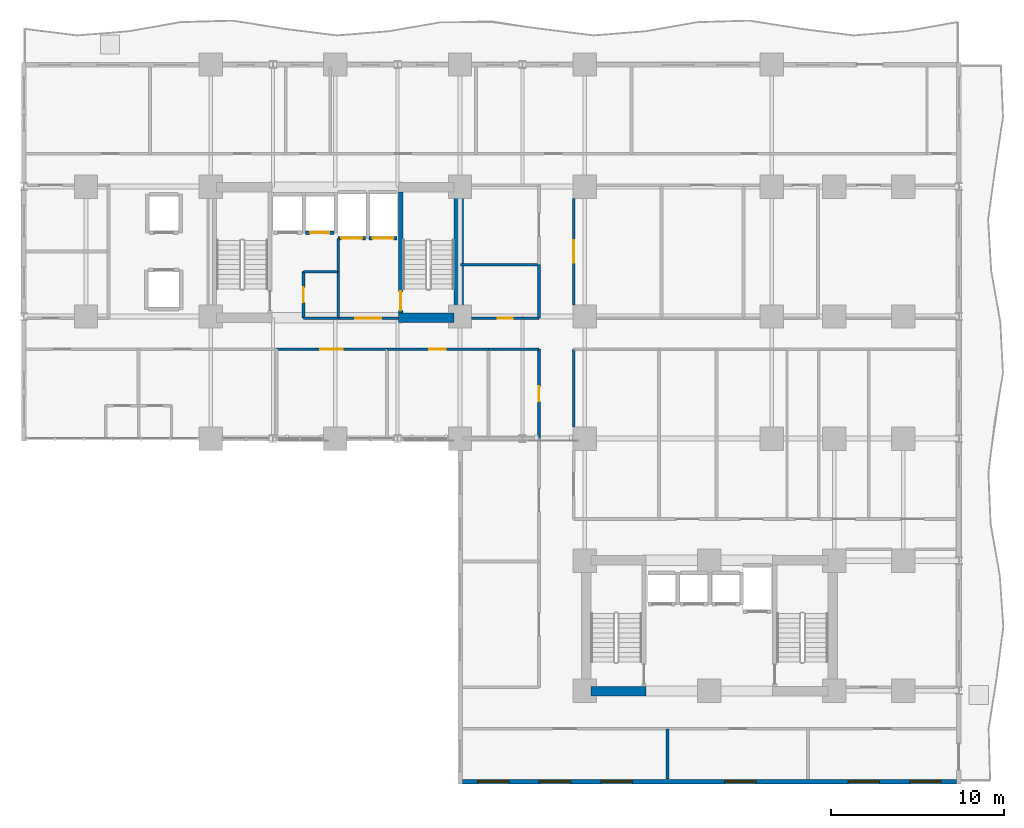
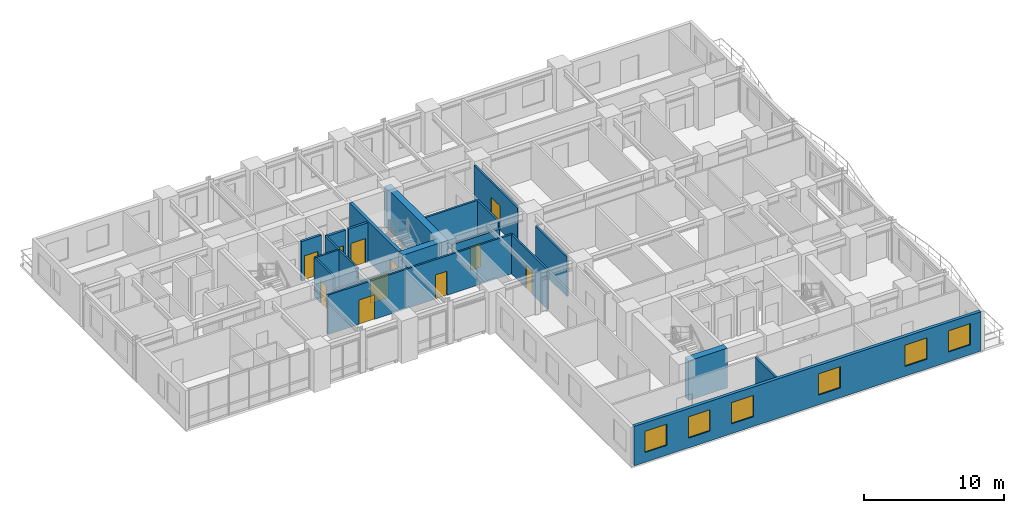
# One storey, part 9 of 16: 24 walls, 11 doors, 6 windows, 17 openings.
"""IFC4 building model written with IfcOpenShell, lengths in metres."""

from ifc_helpers import new_model, si_unit, direction, frame, frame_2d, origin, place, context, subcontext, project, spatial, rectangle, extrude, material, layer, layer_set, type_object, element, fill, save


model = new_model("IFC4")

# Units and contexts
model_context = context("Model", 3, precision=1e-05, world=origin(), true_north=direction((0.0, 1.0)))
body_context = subcontext(model_context, "Body", "Model", "MODEL_VIEW")
ifc_project = project(units=[si_unit("LENGTHUNIT", "METRE"), si_unit("AREAUNIT", "SQUARE_METRE"), si_unit("VOLUMEUNIT", "CUBIC_METRE"), si_unit("PLANEANGLEUNIT", "RADIAN"), si_unit("MASSUNIT", "GRAM", prefix="KILO")], contexts=[model_context])

# Site, building, storey
site_placement = place(None, origin())
site = spatial("IfcSite", under=ifc_project, at=site_placement, CompositionType="ELEMENT")
building_placement = place(site_placement, origin())
building = spatial("IfcBuilding", under=site, at=building_placement, Name="Kaliganga Portal Commons", CompositionType="ELEMENT")
storey_placement = place(building_placement, frame((0.0, 0.0, 29.0)))
storey = spatial("IfcBuildingStorey", under=building, at=storey_placement, Name="L06", CompositionType="ELEMENT", Elevation=29.0)

# Walls
ifc_material_1 = material(Name="Concrete C60/75", Category="concrete")
ifc_layer_1 = layer(ifc_material_1, 0.550048828125)
ifc_layer_set_1 = layer_set([ifc_layer_1], Name="Concrete C60/75")
wall_type_1 = type_object("IfcWallType", Name="WL-CORE-550", PredefinedType="SHEAR", material=ifc_layer_set_1)
wall_1_placement = place(storey_placement, frame((28.72509765625, 28.300048828125, 0.0), z_axis=(0.0, 0.0, 1.0), x_axis=(0.0, 1.0, 0.0)))
element("IfcWall", 1, at=wall_1_placement, inside=storey, type_object=wall_type_1, Name="Core A East Shear Wall L06", PredefinedType="SHEAR", context=body_context, shape_type="SweptSolid", body=[
    extrude(rectangle(XDim=8.099853515625, YDim=0.550048828125, at=frame_2d((4.0498046875, 0.0))), origin(), (0.0, 0.0, 1.0), 3.449951171875),
])
for number, where, z_axis, x_axis, name in (
    (2, (25.25, 28.574951171875, 0.0), (0.0, 0.0, 1.0), (1.0, 0.0, 0.0), "Core A S-East Shear Wall L06"),
    (3, (36.35009765625, 7.02490234375, 0.0), (0.0, 0.0, 1.0), (1.0, 0.0, 0.0), "Core B S-West Shear Wall L06"),
):
    element("IfcWall", number, at=place(storey_placement, frame(where, z_axis=z_axis, x_axis=x_axis)), inside=storey, type_object=wall_type_1, Name=name, PredefinedType="SHEAR", context=body_context, shape_type="SweptSolid", body=[
        extrude(rectangle(XDim=3.199951171875, YDim=0.550048828125, at=frame_2d((1.60009765625, 0.0))), origin(), (0.0, 0.0, 1.0), 3.449951171875),
    ])

# Wall, openings, windows
ifc_material_2 = material(Name="Insulated Aluminium-Clad Spandrel Assembly", Category="aluminium")
ifc_layer_2 = layer(ifc_material_2, 0.260009765625)
ifc_layer_set_2 = layer_set([ifc_layer_2], Name="Insulated Aluminium-Clad Spandrel Assembly")
wall_type_2 = type_object("IfcWallType", Name="WL-EXT-SPAND-260", PredefinedType="STANDARD", material=ifc_layer_set_2)
wall_2_placement = place(storey_placement, frame((57.465087890625, 1.800048828125, 0.0), z_axis=(0.0, 0.0, 1.0), x_axis=(-1.0, 0.0, 0.0)))
wall_2 = element("IfcWall", 4, at=wall_2_placement, inside=storey, type_object=wall_type_2, Name="Exterior Envelope Wall L06 P1-E00-S1", PredefinedType="STANDARD", context=body_context, shape_type="SweptSolid", body=[
    extrude(rectangle(XDim=28.530029296875, YDim=0.260009765625, at=frame_2d((14.26513671875, 0.0))), origin(), (0.0, 0.0, 1.0), 3.429931640625),
])
opening_1_placement = place(wall_2_placement, frame((0.883056640625, 0.0, 0.85009765625)))
opening_1 = element("IfcOpeningElement", 5, at=opening_1_placement, cuts=wall_2, Name="Opening W-01", PredefinedType="OPENING", context=body_context, shape_type="SweptSolid", body=[
    extrude(rectangle(XDim=1.800048828125, YDim=1.85009765625, at=frame_2d((0.89990234375, 0.925048828125))), frame((0.0, 0.14013671875, 0.0), z_axis=(0.0, -1.0, 0.0), x_axis=(1.0, 0.0, 0.0)), (0.0, 0.0, 1.0), 0.280029296875),
])
opening_2_placement = place(wall_2_placement, frame((4.449462890625, 0.0, 0.85009765625)))
opening_2 = element("IfcOpeningElement", 6, at=opening_2_placement, cuts=wall_2, Name="Opening W-01", PredefinedType="OPENING", context=body_context, shape_type="SweptSolid", body=[
    extrude(rectangle(XDim=1.800048828125, YDim=1.85009765625, at=frame_2d((0.89990234375, 0.925048828125))), frame((0.0, 0.14013671875, 0.0), z_axis=(0.0, -1.0, 0.0), x_axis=(1.0, 0.0, 0.0)), (0.0, 0.0, 1.0), 0.280029296875),
])
opening_3_placement = place(wall_2_placement, frame((11.581787109375, 0.0, 0.85009765625)))
opening_3 = element("IfcOpeningElement", 7, at=opening_3_placement, cuts=wall_2, Name="Opening W-01", PredefinedType="OPENING", context=body_context, shape_type="SweptSolid", body=[
    extrude(rectangle(XDim=1.800048828125, YDim=1.85009765625, at=frame_2d((0.89990234375, 0.925048828125))), frame((0.0, 0.14013671875, 0.0), z_axis=(0.0, -1.0, 0.0), x_axis=(1.0, 0.0, 0.0)), (0.0, 0.0, 1.0), 0.280029296875),
])
opening_4_placement = place(wall_2_placement, frame((18.71435546875, 0.0, 0.85009765625)))
opening_4 = element("IfcOpeningElement", 8, at=opening_4_placement, cuts=wall_2, Name="Opening W-01", PredefinedType="OPENING", context=body_context, shape_type="SweptSolid", body=[
    extrude(rectangle(XDim=1.800048828125, YDim=1.85009765625, at=frame_2d((0.89990234375, 0.925048828125))), frame((0.0, 0.14013671875, 0.0), z_axis=(0.0, -1.0, 0.0), x_axis=(1.0, 0.0, 0.0)), (0.0, 0.0, 1.0), 0.280029296875),
])
opening_5_placement = place(wall_2_placement, frame((22.280517578125, 0.0, 0.85009765625)))
opening_5 = element("IfcOpeningElement", 9, at=opening_5_placement, cuts=wall_2, Name="Opening W-01", PredefinedType="OPENING", context=body_context, shape_type="SweptSolid", body=[
    extrude(rectangle(XDim=1.800048828125, YDim=1.85009765625, at=frame_2d((0.89990234375, 0.925048828125))), frame((0.0, 0.14013671875, 0.0), z_axis=(0.0, -1.0, 0.0), x_axis=(1.0, 0.0, 0.0)), (0.0, 0.0, 1.0), 0.280029296875),
])
opening_6_placement = place(wall_2_placement, frame((25.846923828125, 0.0, 0.85009765625)))
opening_6 = element("IfcOpeningElement", 10, at=opening_6_placement, cuts=wall_2, Name="Opening W-01", PredefinedType="OPENING", context=body_context, shape_type="SweptSolid", body=[
    extrude(rectangle(XDim=1.800048828125, YDim=1.85009765625, at=frame_2d((0.89990234375, 0.925048828125))), frame((0.0, 0.14013671875, 0.0), z_axis=(0.0, -1.0, 0.0), x_axis=(1.0, 0.0, 0.0)), (0.0, 0.0, 1.0), 0.280029296875),
])
ifc_material_3 = material(Name="Thermally Broken Aluminium and Low-E Double Glazing", Category="aluminium")
window_type = type_object("IfcWindowType", Name="WIN-STD-1800", PartitioningType="DOUBLE_PANEL_VERTICAL", PredefinedType="WINDOW", material=ifc_material_3)
window_1_placement = place(opening_1_placement, origin())
window_1 = element("IfcWindow", 11, at=window_1_placement, inside=storey, type_object=window_type, Name="Facade Window L06-P1E00S1-00", OverallHeight=1.85009765625, OverallWidth=1.800048828125, PartitioningType="SINGLE_PANEL", PredefinedType="WINDOW", context=body_context, shape_type="SweptSolid", body=[
    extrude(rectangle(XDim=1.800048828125, YDim=1.85009765625, at=frame_2d((0.89990234375, 0.925048828125))), frame((0.0, 0.030029296875, 0.0), z_axis=(0.0, -1.0, 0.0), x_axis=(1.0, 0.0, 0.0)), (0.0, 0.0, 1.0), 0.06005859375),
])
fill(opening_1, window_1)
window_2_placement = place(opening_2_placement, origin())
window_2 = element("IfcWindow", 12, at=window_2_placement, inside=storey, type_object=window_type, Name="Facade Window L06-P1E00S1-01", OverallHeight=1.85009765625, OverallWidth=1.800048828125, PartitioningType="SINGLE_PANEL", PredefinedType="WINDOW", context=body_context, shape_type="SweptSolid", body=[
    extrude(rectangle(XDim=1.800048828125, YDim=1.85009765625, at=frame_2d((0.89990234375, 0.925048828125))), frame((0.0, 0.030029296875, 0.0), z_axis=(0.0, -1.0, 0.0), x_axis=(1.0, 0.0, 0.0)), (0.0, 0.0, 1.0), 0.06005859375),
])
fill(opening_2, window_2)
window_3_placement = place(opening_3_placement, origin())
window_3 = element("IfcWindow", 13, at=window_3_placement, inside=storey, type_object=window_type, Name="Facade Window L06-P1E00S1-03", OverallHeight=1.85009765625, OverallWidth=1.800048828125, PartitioningType="SINGLE_PANEL", PredefinedType="WINDOW", context=body_context, shape_type="SweptSolid", body=[
    extrude(rectangle(XDim=1.800048828125, YDim=1.85009765625, at=frame_2d((0.89990234375, 0.925048828125))), frame((0.0, 0.030029296875, 0.0), z_axis=(0.0, -1.0, 0.0), x_axis=(1.0, 0.0, 0.0)), (0.0, 0.0, 1.0), 0.06005859375),
])
fill(opening_3, window_3)
window_4_placement = place(opening_4_placement, origin())
window_4 = element("IfcWindow", 14, at=window_4_placement, inside=storey, type_object=window_type, Name="Facade Window L06-P1E00S1-05", OverallHeight=1.85009765625, OverallWidth=1.800048828125, PartitioningType="SINGLE_PANEL", PredefinedType="WINDOW", context=body_context, shape_type="SweptSolid", body=[
    extrude(rectangle(XDim=1.800048828125, YDim=1.85009765625, at=frame_2d((0.89990234375, 0.925048828125))), frame((0.0, 0.030029296875, 0.0), z_axis=(0.0, -1.0, 0.0), x_axis=(1.0, 0.0, 0.0)), (0.0, 0.0, 1.0), 0.06005859375),
])
fill(opening_4, window_4)
window_5_placement = place(opening_5_placement, origin())
window_5 = element("IfcWindow", 15, at=window_5_placement, inside=storey, type_object=window_type, Name="Facade Window L06-P1E00S1-06", OverallHeight=1.85009765625, OverallWidth=1.800048828125, PartitioningType="SINGLE_PANEL", PredefinedType="WINDOW", context=body_context, shape_type="SweptSolid", body=[
    extrude(rectangle(XDim=1.800048828125, YDim=1.85009765625, at=frame_2d((0.89990234375, 0.925048828125))), frame((0.0, 0.030029296875, 0.0), z_axis=(0.0, -1.0, 0.0), x_axis=(1.0, 0.0, 0.0)), (0.0, 0.0, 1.0), 0.06005859375),
])
fill(opening_5, window_5)
window_6_placement = place(opening_6_placement, origin())
window_6 = element("IfcWindow", 16, at=window_6_placement, inside=storey, type_object=window_type, Name="Facade Window L06-P1E00S1-07", OverallHeight=1.85009765625, OverallWidth=1.800048828125, PartitioningType="SINGLE_PANEL", PredefinedType="WINDOW", context=body_context, shape_type="SweptSolid", body=[
    extrude(rectangle(XDim=1.800048828125, YDim=1.85009765625, at=frame_2d((0.89990234375, 0.925048828125))), frame((0.0, 0.030029296875, 0.0), z_axis=(0.0, -1.0, 0.0), x_axis=(1.0, 0.0, 0.0)), (0.0, 0.0, 1.0), 0.06005859375),
])
fill(opening_6, window_6)

# Wall
ifc_material_4 = material(Name="Fire-Rated Gypsum Board on Steel Stud", Category="steel")
ifc_layer_3 = layer(ifc_material_4, 0.14990234375)
ifc_layer_set_3 = layer_set([ifc_layer_3], Name="Fire-Rated Gypsum Board on Steel Stud")
wall_type_3 = type_object("IfcWallType", Name="WL-PART-CORR-150", PredefinedType="PARTITIONING", material=ifc_layer_set_3)
wall_3_placement = place(storey_placement, frame((35.360107421875, 22.27490234375, 0.0), z_axis=(0.0, 0.0, 1.0), x_axis=(0.0, 1.0, 0.0)))
element("IfcWall", 17, at=wall_3_placement, inside=storey, type_object=wall_type_3, Name="Interior Partition L06-009", PredefinedType="PARTITIONING", context=body_context, shape_type="SweptSolid", body=[
    extrude(rectangle(XDim=4.485107421875, YDim=0.14990234375, at=frame_2d((2.24267578125, 0.0))), origin(), (0.0, 0.0, 1.0), 3.429931640625),
])

# Wall, opening, door
wall_4_placement = place(storey_placement, frame((35.360107421875, 29.324951171875, 0.0), z_axis=(0.0, 0.0, 1.0), x_axis=(0.0, 1.0, 0.0)))
wall_4 = element("IfcWall", 18, at=wall_4_placement, inside=storey, type_object=wall_type_3, Name="Interior Partition L06-018", PredefinedType="PARTITIONING", context=body_context, shape_type="SweptSolid", body=[
    extrude(rectangle(XDim=6.150146484375, YDim=0.14990234375, at=frame_2d((3.0751953125, 0.0))), origin(), (0.0, 0.0, 1.0), 3.429931640625),
])
opening_7_placement = place(wall_4_placement, frame((2.425048828125, 0.0, 0.0)))
opening_7 = element("IfcOpeningElement", 19, at=opening_7_placement, cuts=wall_4, Name="Opening RD-03", PredefinedType="OPENING", context=body_context, shape_type="SweptSolid", body=[
    extrude(rectangle(XDim=1.300048828125, YDim=2.1201171875, at=frame_2d((0.64990234375, 1.06005859375))), frame((0.0, 0.0849609375, 0.0), z_axis=(0.0, -1.0, 0.0), x_axis=(1.0, 0.0, 0.0)), (0.0, 0.0, 1.0), 0.169921875),
])
ifc_material_5 = material(Name="Glazed Timber Seminar Vision Door", Category="wood")
door_type_1 = type_object("IfcDoorType", Name="DR-STUDY-1300", OperationType="DOUBLE_DOOR_SINGLE_SWING", PredefinedType="DOOR", material=ifc_material_5)
door_1_placement = place(opening_7_placement, origin())
door_1 = element("IfcDoor", 20, at=door_1_placement, inside=storey, type_object=door_type_1, Name="Interior Door L06-BK01", OperationType="DOUBLE_DOOR_SINGLE_SWING", OverallHeight=2.1201171875, OverallWidth=1.300048828125, PredefinedType="DOOR", context=body_context, shape_type="SweptSolid", body=[
    extrude(rectangle(XDim=1.300048828125, YDim=2.1201171875, at=frame_2d((0.64990234375, 1.06005859375))), frame((0.0, 0.02490234375, 0.0), z_axis=(0.0, -1.0, 0.0), x_axis=(1.0, 0.0, 0.0)), (0.0, 0.0, 1.0), 0.050048828125),
])
fill(opening_7, door_1)

wall_5_placement = place(storey_placement, frame((18.199951171875, 26.760009765625, 0.0), z_axis=(0.0, 0.0, 1.0), x_axis=(1.0, 0.0, 0.0)))
wall_5 = element("IfcWall", 21, at=wall_5_placement, inside=storey, type_object=wall_type_3, Name="Interior Partition L06-027", PredefinedType="PARTITIONING", context=body_context, shape_type="SweptSolid", body=[
    extrude(rectangle(XDim=6.380126953125, YDim=0.14990234375, at=frame_2d((3.18994140625, 0.0))), origin(), (0.0, 0.0, 1.0), 3.429931640625),
])
opening_8_placement = place(wall_5_placement, frame((2.5400390625, 0.0, 0.0)))
opening_8 = element("IfcOpeningElement", 22, at=opening_8_placement, cuts=wall_5, Name="Opening RD-03", PredefinedType="OPENING", context=body_context, shape_type="SweptSolid", body=[
    extrude(rectangle(XDim=1.300048828125, YDim=2.1201171875, at=frame_2d((0.64990234375, 1.06005859375))), frame((0.0, 0.0849609375, 0.0), z_axis=(0.0, -1.0, 0.0), x_axis=(1.0, 0.0, 0.0)), (0.0, 0.0, 1.0), 0.169921875),
])
door_2_placement = place(opening_8_placement, origin())
door_2 = element("IfcDoor", 23, at=door_2_placement, inside=storey, type_object=door_type_1, Name="Interior Door L06-AS03", OperationType="DOUBLE_DOOR_SINGLE_SWING", OverallHeight=2.1201171875, OverallWidth=1.300048828125, PredefinedType="DOOR", context=body_context, shape_type="SweptSolid", body=[
    extrude(rectangle(XDim=1.300048828125, YDim=2.1201171875, at=frame_2d((0.64990234375, 1.06005859375))), frame((0.0, 0.02490234375, 0.0), z_axis=(0.0, -1.0, 0.0), x_axis=(1.0, 0.0, 0.0)), (0.0, 0.0, 1.0), 0.050048828125),
])
fill(opening_8, door_2)

wall_6_placement = place(storey_placement, frame((24.580078125, 26.760009765625, 0.0), z_axis=(0.0, 0.0, 1.0), x_axis=(1.0, 0.0, 0.0)))
wall_6 = element("IfcWall", 24, at=wall_6_placement, inside=storey, type_object=wall_type_3, Name="Interior Partition L06-028", PredefinedType="PARTITIONING", context=body_context, shape_type="SweptSolid", body=[
    extrude(rectangle(XDim=5.85986328125, YDim=0.14990234375, at=frame_2d((2.929931640625, 0.0))), origin(), (0.0, 0.0, 1.0), 3.429931640625),
])
opening_9_placement = place(wall_6_placement, frame((2.455078125, 0.0, 0.0)))
opening_9 = element("IfcOpeningElement", 25, at=opening_9_placement, cuts=wall_6, Name="Opening UD-01", PredefinedType="OPENING", context=body_context, shape_type="SweptSolid", body=[
    extrude(rectangle(XDim=0.949951171875, YDim=2.10009765625, at=frame_2d((0.47509765625, 1.050048828125))), frame((0.0, 0.0849609375, 0.0), z_axis=(0.0, -1.0, 0.0), x_axis=(1.0, 0.0, 0.0)), (0.0, 0.0, 1.0), 0.169921875),
])
ifc_material_6 = material(Name="Solid-Core Timber Acoustic Fire Door", Category="wood")
door_type_2 = type_object("IfcDoorType", Name="DR-UNIT-950", OperationType="NOTDEFINED", PredefinedType="DOOR", material=ifc_material_6)
door_3_placement = place(opening_9_placement, origin())
door_3 = element("IfcDoor", 26, at=door_3_placement, inside=storey, type_object=door_type_2, Name="Interior Door L06-AS04", OperationType="SINGLE_SWING_LEFT", OverallHeight=2.10009765625, OverallWidth=0.949951171875, PredefinedType="DOOR", context=body_context, shape_type="SweptSolid", body=[
    extrude(rectangle(XDim=0.949951171875, YDim=2.10009765625, at=frame_2d((0.47509765625, 1.050048828125))), frame((0.0, 0.02490234375, 0.0), z_axis=(0.0, -1.0, 0.0), x_axis=(1.0, 0.0, 0.0)), (0.0, 0.0, 1.0), 0.050048828125),
])
fill(opening_9, door_3)

wall_7_placement = place(storey_placement, frame((33.360107421875, 21.60009765625, 0.0), z_axis=(0.0, 0.0, 1.0), x_axis=(0.0, 1.0, 0.0)))
wall_7 = element("IfcWall", 27, at=wall_7_placement, inside=storey, type_object=wall_type_3, Name="Interior Partition L06-030", PredefinedType="PARTITIONING", context=body_context, shape_type="SweptSolid", body=[
    extrude(rectangle(XDim=5.159912109375, YDim=0.14990234375, at=frame_2d((2.580078125, 0.0))), origin(), (0.0, 0.0, 1.0), 3.429931640625),
])
opening_10_placement = place(wall_7_placement, frame((2.14990234375, 0.0, 0.0)))
opening_10 = element("IfcOpeningElement", 28, at=opening_10_placement, cuts=wall_7, Name="Opening WD-02", PredefinedType="OPENING", context=body_context, shape_type="SweptSolid", body=[
    extrude(rectangle(XDim=0.860107421875, YDim=2.02001953125, at=frame_2d((0.43017578125, 1.010009765625))), frame((0.0, 0.0849609375, 0.0), z_axis=(0.0, -1.0, 0.0), x_axis=(1.0, 0.0, 0.0)), (0.0, 0.0, 1.0), 0.169921875),
])
ifc_material_7 = material(Name="Fire-Rated Utility Closet Door", Category="wood")
door_type_3 = type_object("IfcDoorType", Name="DR-STORE-800", OperationType="NOTDEFINED", PredefinedType="DOOR", material=ifc_material_7)
door_4_placement = place(opening_10_placement, origin())
door_4 = element("IfcDoor", 29, at=door_4_placement, inside=storey, type_object=door_type_3, Name="Interior Door L06-AS05", OperationType="SINGLE_SWING_LEFT", OverallHeight=2.02001953125, OverallWidth=0.860107421875, PredefinedType="DOOR", context=body_context, shape_type="SweptSolid", body=[
    extrude(rectangle(XDim=0.860107421875, YDim=2.02001953125, at=frame_2d((0.43017578125, 1.010009765625))), frame((0.0, 0.02490234375, 0.0), z_axis=(0.0, -1.0, 0.0), x_axis=(1.0, 0.0, 0.0)), (0.0, 0.0, 1.0), 0.050048828125),
])
fill(opening_10, door_4)

wall_8_placement = place(storey_placement, frame((29.47509765625, 28.56005859375, 0.0), z_axis=(0.0, 0.0, 1.0), x_axis=(1.0, 0.0, 0.0)))
wall_8 = element("IfcWall", 30, at=wall_8_placement, inside=storey, type_object=wall_type_3, Name="Interior Partition L06-040", PredefinedType="PARTITIONING", context=body_context, shape_type="SweptSolid", body=[
    extrude(rectangle(XDim=3.885009765625, YDim=0.14990234375, at=frame_2d((1.9423828125, 0.0))), origin(), (0.0, 0.0, 1.0), 2.780029296875),
])
opening_11_placement = place(wall_8_placement, frame((1.512451171875, 0.0, 0.0)))
opening_11 = element("IfcOpeningElement", 31, at=opening_11_placement, cuts=wall_8, Name="Opening WD-02", PredefinedType="OPENING", context=body_context, shape_type="SweptSolid", body=[
    extrude(rectangle(XDim=0.860107421875, YDim=2.02001953125, at=frame_2d((0.43017578125, 1.010009765625))), frame((0.0, 0.0849609375, 0.0), z_axis=(0.0, -1.0, 0.0), x_axis=(1.0, 0.0, 0.0)), (0.0, 0.0, 1.0), 0.169921875),
])
door_5_placement = place(opening_11_placement, origin())
door_5 = element("IfcDoor", 32, at=door_5_placement, inside=storey, type_object=door_type_3, Name="Interior Door L06-CSRV_A1", OperationType="SINGLE_SWING_RIGHT", OverallHeight=2.02001953125, OverallWidth=0.860107421875, PredefinedType="DOOR", context=body_context, shape_type="SweptSolid", body=[
    extrude(rectangle(XDim=0.860107421875, YDim=2.02001953125, at=frame_2d((0.43017578125, 1.010009765625))), frame((0.0, 0.02490234375, 0.0), z_axis=(0.0, -1.0, 0.0), x_axis=(1.0, 0.0, 0.0)), (0.0, 0.0, 1.0), 0.050048828125),
])
fill(opening_11, door_5)

# Walls
wall_9_placement = place(storey_placement, frame((33.360107421875, 28.56005859375, 0.0), z_axis=(0.0, 0.0, 1.0), x_axis=(0.0, 1.0, 0.0)))
element("IfcWall", 33, at=wall_9_placement, inside=storey, type_object=wall_type_3, Name="Interior Partition L06-048", PredefinedType="PARTITIONING", context=body_context, shape_type="SweptSolid", body=[
    extrude(rectangle(XDim=3.079833984375, YDim=0.14990234375, at=frame_2d((1.5400390625, 0.0))), origin(), (0.0, 0.0, 1.0), 3.429931640625),
])
wall_10_placement = place(storey_placement, frame((30.43994140625, 26.760009765625, 0.0), z_axis=(0.0, 0.0, 1.0), x_axis=(1.0, 0.0, 0.0)))
element("IfcWall", 34, at=wall_10_placement, inside=storey, type_object=wall_type_3, Name="Interior Partition L06-049", PredefinedType="PARTITIONING", context=body_context, shape_type="SweptSolid", body=[
    extrude(rectangle(XDim=2.920166015625, YDim=0.14990234375, at=frame_2d((1.4599609375, 0.0))), origin(), (0.0, 0.0, 1.0), 3.429931640625),
])

# Wall, opening, door
wall_11_placement = place(storey_placement, frame((19.760009765625, 28.56005859375, 0.0), z_axis=(0.0, 0.0, 1.0), x_axis=(0.0, 1.0, 0.0)))
wall_11 = element("IfcWall", 35, at=wall_11_placement, inside=storey, type_object=wall_type_3, Name="Interior Partition L06-051", PredefinedType="PARTITIONING", context=body_context, shape_type="SweptSolid", body=[
    extrude(rectangle(XDim=2.679931640625, YDim=0.14990234375, at=frame_2d((1.33984375, 0.0))), origin(), (0.0, 0.0, 1.0), 3.429931640625),
])
opening_12_placement = place(wall_11_placement, frame((0.909912109375, 0.0, 0.0)))
opening_12 = element("IfcOpeningElement", 36, at=opening_12_placement, cuts=wall_11, Name="Opening WD-02", PredefinedType="OPENING", context=body_context, shape_type="SweptSolid", body=[
    extrude(rectangle(XDim=0.860107421875, YDim=2.02001953125, at=frame_2d((0.43017578125, 1.010009765625))), frame((0.0, 0.0849609375, 0.0), z_axis=(0.0, -1.0, 0.0), x_axis=(1.0, 0.0, 0.0)), (0.0, 0.0, 1.0), 0.169921875),
])
door_6_placement = place(opening_12_placement, origin())
door_6 = element("IfcDoor", 37, at=door_6_placement, inside=storey, type_object=door_type_3, Name="Interior Door L06-CIN_A1", OperationType="SINGLE_SWING_RIGHT", OverallHeight=2.02001953125, OverallWidth=0.860107421875, PredefinedType="DOOR", context=body_context, shape_type="SweptSolid", body=[
    extrude(rectangle(XDim=0.860107421875, YDim=2.02001953125, at=frame_2d((0.43017578125, 1.010009765625))), frame((0.0, 0.02490234375, 0.0), z_axis=(0.0, -1.0, 0.0), x_axis=(1.0, 0.0, 0.0)), (0.0, 0.0, 1.0), 0.050048828125),
])
fill(opening_12, door_6)

# Walls
wall_12_placement = place(storey_placement, frame((21.760009765625, 28.56005859375, 0.0), z_axis=(0.0, 0.0, 1.0), x_axis=(0.0, 1.0, 0.0)))
element("IfcWall", 38, at=wall_12_placement, inside=storey, type_object=wall_type_3, Name="Interior Partition L06-052", PredefinedType="PARTITIONING", context=body_context, shape_type="SweptSolid", body=[
    extrude(rectangle(XDim=2.679931640625, YDim=0.14990234375, at=frame_2d((1.33984375, 0.0))), origin(), (0.0, 0.0, 1.0), 3.429931640625),
])
wall_13_placement = place(storey_placement, frame((19.760009765625, 28.56005859375, 0.0), z_axis=(0.0, 0.0, 1.0), x_axis=(1.0, 0.0, 0.0)))
element("IfcWall", 39, at=wall_13_placement, inside=storey, type_object=wall_type_3, Name="Interior Partition L06-054", PredefinedType="PARTITIONING", context=body_context, shape_type="SweptSolid", body=[
    extrude(rectangle(XDim=2.0, YDim=0.14990234375, at=frame_2d((1.0, 0.0))), origin(), (0.0, 0.0, 1.0), 2.22998046875),
])
wall_14_placement = place(storey_placement, frame((19.760009765625, 31.239990234375, 0.0), z_axis=(0.0, 0.0, 1.0), x_axis=(1.0, 0.0, 0.0)))
element("IfcWall", 40, at=wall_14_placement, inside=storey, type_object=wall_type_3, Name="Interior Partition L06-055", PredefinedType="PARTITIONING", context=body_context, shape_type="SweptSolid", body=[
    extrude(rectangle(XDim=2.0, YDim=0.14990234375, at=frame_2d((1.0, 0.0))), origin(), (0.0, 0.0, 1.0), 3.429931640625),
])

# Wall, opening, door
wall_15_placement = place(storey_placement, frame((21.760009765625, 28.56005859375, 0.0), z_axis=(0.0, 0.0, 1.0), x_axis=(1.0, 0.0, 0.0)))
wall_15 = element("IfcWall", 41, at=wall_15_placement, inside=storey, type_object=wall_type_3, Name="Interior Partition L06-087", PredefinedType="PARTITIONING", context=body_context, shape_type="SweptSolid", body=[
    extrude(rectangle(XDim=3.47998046875, YDim=0.14990234375, at=frame_2d((1.739990234375, 0.0))), origin(), (0.0, 0.0, 1.0), 2.22998046875),
])
opening_13_placement = place(wall_15_placement, frame((0.989990234375, 0.0, 0.0)))
opening_13 = element("IfcOpeningElement", 42, at=opening_13_placement, cuts=wall_15, Name="Opening FD-01", PredefinedType="OPENING", context=body_context, shape_type="SweptSolid", body=[
    extrude(rectangle(XDim=1.5, YDim=2.10009765625, at=frame_2d((0.75, 1.050048828125))), frame((0.0, 0.0849609375, 0.0), z_axis=(0.0, -1.0, 0.0), x_axis=(1.0, 0.0, 0.0)), (0.0, 0.0, 1.0), 0.169921875),
])
ifc_material_8 = material(Name="Fire-Rated Hardwood and Georgian-Wired Vision Panel", Category="wood")
door_type_4 = type_object("IfcDoorType", Name="DR-LOBBY-1500", OperationType="DOUBLE_DOOR_SINGLE_SWING", PredefinedType="DOOR", material=ifc_material_8)
door_7_placement = place(opening_13_placement, origin())
door_7 = element("IfcDoor", 43, at=door_7_placement, inside=storey, type_object=door_type_4, Name="Interior Door L06-FFLOB_A", OperationType="DOUBLE_DOOR_SINGLE_SWING", OverallHeight=2.10009765625, OverallWidth=1.5, PredefinedType="DOOR", context=body_context, shape_type="SweptSolid", body=[
    extrude(rectangle(XDim=1.5, YDim=2.10009765625, at=frame_2d((0.75, 1.050048828125))), frame((0.0, 0.02490234375, 0.0), z_axis=(0.0, -1.0, 0.0), x_axis=(1.0, 0.0, 0.0)), (0.0, 0.0, 1.0), 0.050048828125),
])
fill(opening_13, door_7)

# Walls
wall_16_placement = place(storey_placement, frame((21.760009765625, 31.239990234375, 0.0), z_axis=(0.0, 0.0, 1.0), x_axis=(0.0, 1.0, 0.0)))
element("IfcWall", 44, at=wall_16_placement, inside=storey, type_object=wall_type_3, Name="Interior Partition L06-094", PredefinedType="PARTITIONING", context=body_context, shape_type="SweptSolid", body=[
    extrude(rectangle(XDim=1.919921875, YDim=0.14990234375, at=frame_2d((0.9599609375, 0.0))), origin(), (0.0, 0.0, 1.0), 3.429931640625),
])
ifc_material_9 = material(Name="Twin-Stud Acoustic Gypsum Partition", Category="gypsum")
ifc_layer_4 = layer(ifc_material_9, 0.1650390625)
ifc_layer_set_4 = layer_set([ifc_layer_4], Name="Twin-Stud Acoustic Gypsum Partition")
wall_type_4 = type_object("IfcWallType", Name="WL-PART-UNIT-165", PredefinedType="PARTITIONING", material=ifc_layer_set_4)
wall_17_placement = place(storey_placement, frame((28.840087890625, 31.639892578125, 0.0), z_axis=(0.0, 0.0, 1.0), x_axis=(1.0, 0.0, 0.0)))
element("IfcWall", 45, at=wall_17_placement, inside=storey, type_object=wall_type_4, Name="Interior Partition L06-083", PredefinedType="PARTITIONING", context=body_context, shape_type="SweptSolid", body=[
    extrude(rectangle(XDim=4.52001953125, YDim=0.1650390625, at=frame_2d((2.260009765625, 0.0))), origin(), (0.0, 0.0, 1.0), 3.429931640625),
])
wall_18_placement = place(storey_placement, frame((40.780029296875, 1.931884765625, 0.0), z_axis=(0.0, 0.0, 1.0), x_axis=(0.0, 1.0, 0.0)))
element("IfcWall", 46, at=wall_18_placement, inside=storey, type_object=wall_type_4, Name="Interior Partition L06-090", PredefinedType="PARTITIONING", context=body_context, shape_type="SweptSolid", body=[
    extrude(rectangle(XDim=2.908203125, YDim=0.1650390625, at=frame_2d((1.4541015625, 0.0))), origin(), (0.0, 0.0, 1.0), 3.429931640625),
])

# Wall, opening, door
ifc_material_10 = material(Name="Fire-Rated Shaftwall Masonry Assembly", Category="masonry")
ifc_layer_5 = layer(ifc_material_10, 0.199951171875)
ifc_layer_set_5 = layer_set([ifc_layer_5], Name="Fire-Rated Shaftwall Masonry Assembly")
wall_type_5 = type_object("IfcWallType", Name="WL-SHAFT-200", PredefinedType="PARTITIONING", material=ifc_layer_set_5)
wall_19_placement = place(storey_placement, frame((19.875, 33.485107421875, 0.0), z_axis=(0.0, 0.0, 1.0), x_axis=(1.0, 0.0, 0.0)))
wall_19 = element("IfcWall", 47, at=wall_19_placement, inside=storey, type_object=wall_type_5, Name="Lift PL-A2 Hoistway Shaft Wall L06-S", PredefinedType="PARTITIONING", context=body_context, shape_type="SweptSolid", body=[
    extrude(rectangle(XDim=1.64990234375, YDim=0.199951171875, at=frame_2d((0.824951171875, 0.0))), origin(), (0.0, 0.0, 1.0), 3.429931640625),
])
opening_14_placement = place(wall_19_placement, frame((0.27490234375, 0.0, 0.0)))
opening_14 = element("IfcOpeningElement", 48, at=opening_14_placement, cuts=wall_19, Name="Opening LD-01", PredefinedType="OPENING", context=body_context, shape_type="SweptSolid", body=[
    extrude(rectangle(XDim=1.10009765625, YDim=2.1201171875, at=frame_2d((0.550048828125, 1.06005859375))), frame((0.0, 0.10986328125, 0.0), z_axis=(0.0, -1.0, 0.0), x_axis=(1.0, 0.0, 0.0)), (0.0, 0.0, 1.0), 0.219970703125),
])
ifc_material_11 = material(Name="Brushed Stainless Steel 316 Lift Landing Door", Category="steel")
door_type_5 = type_object("IfcDoorType", Name="DR-LIFT-1100", OperationType="SLIDING_TO_LEFT", PredefinedType="DOOR", material=ifc_material_11)
door_8_placement = place(opening_14_placement, origin())
door_8 = element("IfcDoor", 49, at=door_8_placement, inside=storey, type_object=door_type_5, Name="Lift PL-A2 Sliding Landing Door L06", OperationType="SLIDING_TO_LEFT", OverallHeight=2.1201171875, OverallWidth=1.10009765625, PredefinedType="DOOR", context=body_context, shape_type="SweptSolid", body=[
    extrude(rectangle(XDim=1.10009765625, YDim=2.1201171875, at=frame_2d((0.550048828125, 1.06005859375))), frame((0.0, 0.02490234375, 0.0), z_axis=(0.0, -1.0, 0.0), x_axis=(1.0, 0.0, 0.0)), (0.0, 0.0, 1.0), 0.050048828125),
])
fill(opening_14, door_8)

wall_20_placement = place(storey_placement, frame((21.75, 33.159912109375, 0.0), z_axis=(0.0, 0.0, 1.0), x_axis=(1.0, 0.0, 0.0)))
wall_20 = element("IfcWall", 50, at=wall_20_placement, inside=storey, type_object=wall_type_5, Name="Lift FFL-1 Hoistway Shaft Wall L06-S", PredefinedType="PARTITIONING", context=body_context, shape_type="SweptSolid", body=[
    extrude(rectangle(XDim=1.60009765625, YDim=0.199951171875, at=frame_2d((0.800048828125, 0.0))), origin(), (0.0, 0.0, 1.0), 3.429931640625),
])
opening_15_placement = place(wall_20_placement, frame((0.199951171875, 0.0, 0.0)))
opening_15 = element("IfcOpeningElement", 51, at=opening_15_placement, cuts=wall_20, Name="Opening LD-02", PredefinedType="OPENING", context=body_context, shape_type="SweptSolid", body=[
    extrude(rectangle(XDim=1.199951171875, YDim=2.1201171875, at=frame_2d((0.60009765625, 1.06005859375))), frame((0.0, 0.10986328125, 0.0), z_axis=(0.0, -1.0, 0.0), x_axis=(1.0, 0.0, 0.0)), (0.0, 0.0, 1.0), 0.219970703125),
])
ifc_material_12 = material(Name="Brushed Stainless Steel 316 Stretcher Lift Landing Door", Category="steel")
door_type_6 = type_object("IfcDoorType", Name="DR-LIFT-1200", OperationType="SLIDING_TO_RIGHT", PredefinedType="DOOR", material=ifc_material_12)
door_9_placement = place(opening_15_placement, origin())
door_9 = element("IfcDoor", 52, at=door_9_placement, inside=storey, type_object=door_type_6, Name="Lift FFL-1 Sliding Landing Door L06", OperationType="SLIDING_TO_RIGHT", OverallHeight=2.1201171875, OverallWidth=1.199951171875, PredefinedType="DOOR", context=body_context, shape_type="SweptSolid", body=[
    extrude(rectangle(XDim=1.199951171875, YDim=2.1201171875, at=frame_2d((0.60009765625, 1.06005859375))), frame((0.0, 0.02490234375, 0.0), z_axis=(0.0, -1.0, 0.0), x_axis=(1.0, 0.0, 0.0)), (0.0, 0.0, 1.0), 0.050048828125),
])
fill(opening_15, door_9)

wall_21_placement = place(storey_placement, frame((23.550048828125, 33.159912109375, 0.0), z_axis=(0.0, 0.0, 1.0), x_axis=(1.0, 0.0, 0.0)))
wall_21 = element("IfcWall", 53, at=wall_21_placement, inside=storey, type_object=wall_type_5, Name="Lift FFL-2 Hoistway Shaft Wall L06-S", PredefinedType="PARTITIONING", context=body_context, shape_type="SweptSolid", body=[
    extrude(rectangle(XDim=1.599853515625, YDim=0.199951171875, at=frame_2d((0.7998046875, 0.0))), origin(), (0.0, 0.0, 1.0), 3.429931640625),
])
opening_16_placement = place(wall_21_placement, frame((0.199951171875, 0.0, 0.0)))
opening_16 = element("IfcOpeningElement", 54, at=opening_16_placement, cuts=wall_21, Name="Opening LD-02", PredefinedType="OPENING", context=body_context, shape_type="SweptSolid", body=[
    extrude(rectangle(XDim=1.199951171875, YDim=2.1201171875, at=frame_2d((0.60009765625, 1.06005859375))), frame((0.0, 0.10986328125, 0.0), z_axis=(0.0, -1.0, 0.0), x_axis=(1.0, 0.0, 0.0)), (0.0, 0.0, 1.0), 0.219970703125),
])
door_10_placement = place(opening_16_placement, origin())
door_10 = element("IfcDoor", 55, at=door_10_placement, inside=storey, type_object=door_type_6, Name="Lift FFL-2 Sliding Landing Door L06", OperationType="SLIDING_TO_RIGHT", OverallHeight=2.1201171875, OverallWidth=1.199951171875, PredefinedType="DOOR", context=body_context, shape_type="SweptSolid", body=[
    extrude(rectangle(XDim=1.199951171875, YDim=2.1201171875, at=frame_2d((0.60009765625, 1.06005859375))), frame((0.0, 0.02490234375, 0.0), z_axis=(0.0, -1.0, 0.0), x_axis=(1.0, 0.0, 0.0)), (0.0, 0.0, 1.0), 0.050048828125),
])
fill(opening_16, door_10)

ifc_material_13 = material(Name="Concrete C50/60", Category="concrete")
ifc_layer_6 = layer(ifc_material_13, 0.25)
ifc_layer_set_6 = layer_set([ifc_layer_6], Name="Concrete C50/60")
wall_type_6 = type_object("IfcWallType", Name="WL-STAIR-250", PredefinedType="SHEAR", material=ifc_layer_set_6)
wall_22_placement = place(storey_placement, frame((25.375, 28.85009765625, 0.0), z_axis=(0.0, 0.0, 1.0), x_axis=(0.0, 1.0, 0.0)))
wall_22 = element("IfcWall", 56, at=wall_22_placement, inside=storey, type_object=wall_type_6, Name="Stair A2 Enclosure Shear Wall L06", PredefinedType="SHEAR", context=body_context, shape_type="SweptSolid", body=[
    extrude(rectangle(XDim=7.0, YDim=0.25, at=frame_2d((3.5, 0.0))), origin(), (0.0, 0.0, 1.0), 3.449951171875),
])
opening_17_placement = place(wall_22_placement, frame((0.14990234375, 0.0, 0.0)))
opening_17 = element("IfcOpeningElement", 57, at=opening_17_placement, cuts=wall_22, Name="Opening SD-01", PredefinedType="OPENING", context=body_context, shape_type="SweptSolid", body=[
    extrude(rectangle(XDim=1.10009765625, YDim=2.080078125, at=frame_2d((0.550048828125, 1.0400390625))), frame((0.0, 0.135009765625, 0.0), z_axis=(0.0, -1.0, 0.0), x_axis=(1.0, 0.0, 0.0)), (0.0, 0.0, 1.0), 0.27001953125),
])
ifc_material_14 = material(Name="Galvanized Steel Fire Door Leaf and Frame", Category="steel")
door_type_7 = type_object("IfcDoorType", Name="DR-STAIR-1100", OperationType="NOTDEFINED", PredefinedType="DOOR", material=ifc_material_14)
door_11_placement = place(opening_17_placement, origin())
door_11 = element("IfcDoor", 58, at=door_11_placement, inside=storey, type_object=door_type_7, Name="Protected Stair ST-A2 Fire Door L06", OperationType="SINGLE_SWING_LEFT", OverallHeight=2.080078125, OverallWidth=1.10009765625, PredefinedType="DOOR", context=body_context, shape_type="SweptSolid", body=[
    extrude(rectangle(XDim=1.10009765625, YDim=2.080078125, at=frame_2d((0.550048828125, 1.0400390625))), frame((0.0, 0.02490234375, 0.0), z_axis=(0.0, -1.0, 0.0), x_axis=(1.0, 0.0, 0.0)), (0.0, 0.0, 1.0), 0.050048828125),
])
fill(opening_17, door_11)

save(model, "model.ifc")
